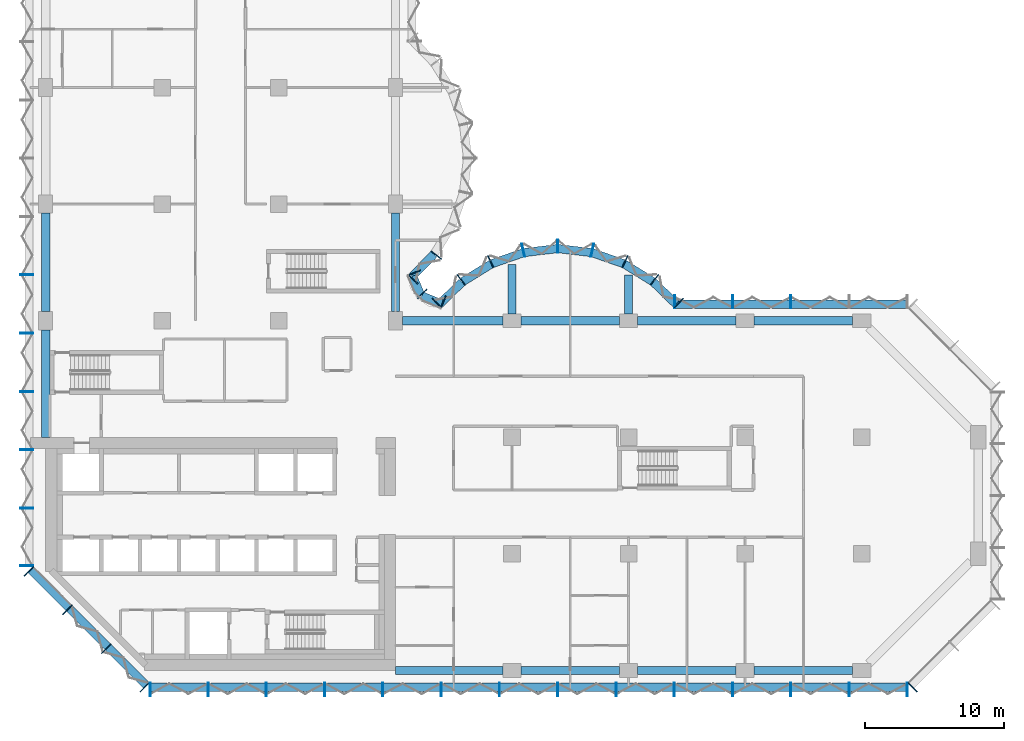
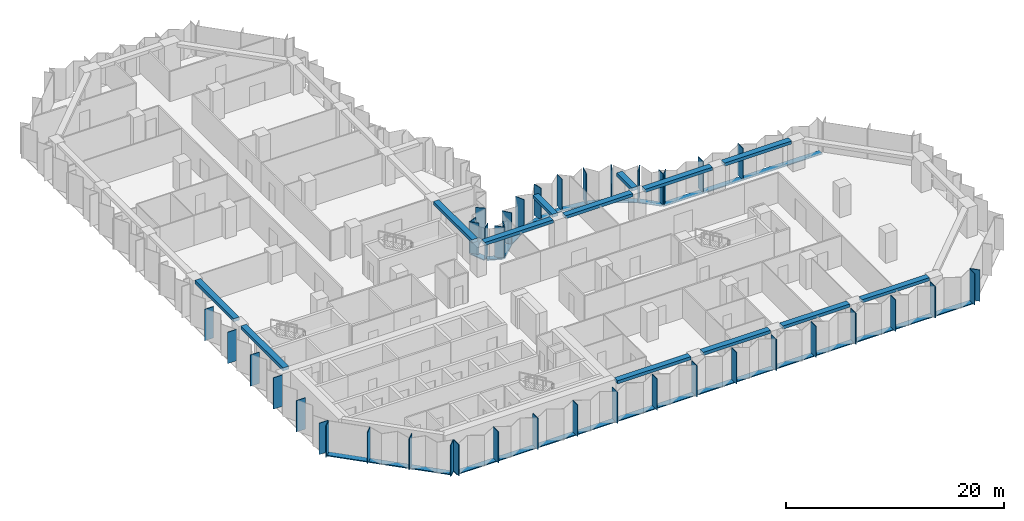
# One storey, part 2 of 13: 56 members, 13 beams, 8 elements without a shape of their own.
"""IFC4 building model written with IfcOpenShell, lengths in metres."""

from ifc_helpers import new_model, si_unit, direction, frame, origin, origin_2d, place, context, subcontext, project, spatial, rectangle, extrude, material, material_profile, profile_set, type_object, element, aggregate, save


model = new_model("IFC4")

# Units and contexts
model_context = context("Model", 3, precision=1e-05, world=origin(), true_north=direction((0.0, 1.0)))
body_context = subcontext(model_context, "Body", "Model", "MODEL_VIEW")
ifc_project = project(units=[si_unit("LENGTHUNIT", "METRE"), si_unit("AREAUNIT", "SQUARE_METRE"), si_unit("VOLUMEUNIT", "CUBIC_METRE"), si_unit("PLANEANGLEUNIT", "RADIAN"), si_unit("MASSUNIT", "GRAM", prefix="KILO")], contexts=[model_context])

# Site, building, storey
site_placement = place(None, origin())
site = spatial("IfcSite", under=ifc_project, at=site_placement, CompositionType="ELEMENT")
building_placement = place(site_placement, origin())
building = spatial("IfcBuilding", under=site, at=building_placement, Name="Brevane Broadcast Tower", CompositionType="ELEMENT")
storey_placement = place(building_placement, frame((0.0, 0.0, 109.699951171875)))
storey = spatial("IfcBuildingStorey", under=building, at=storey_placement, Name="L26", CompositionType="ELEMENT", Elevation=109.699951171875)

# Curtain wall, members
ifc_material_1 = material(Name="Aluminium 6063-T6 bronze anodised", Category="aluminium")
curtain_wall_type = type_object("IfcCurtainWallType", Name="CW-1 curtain wall", PredefinedType="NOTDEFINED", material=ifc_material_1)
curtain_wall_1_placement = place(storey_placement, origin())
curtain_wall_1 = element("IfcCurtainWall", 1, at=curtain_wall_1_placement, inside=storey, type_object=curtain_wall_type, Name="CW-1 typical tilted unit L26 south face", PredefinedType="NOTDEFINED")
ifc_material_profile_1 = material_profile(ifc_material_1, rectangle(XDim=0.949951171875, YDim=0.070068359375, at=origin_2d()), Name="RECT 70x950")
ifc_profile_set_1 = profile_set([ifc_material_profile_1], Name="Aluminium 6063-T6 bronze anodised")
member_type_1 = type_object("IfcMemberType", Name="CW-1 mullion 70x950", PredefinedType="MULLION", material=ifc_profile_set_1)
member_1_placement = place(storey_placement, frame((7.534912109375, -1.375, -0.14990234375), z_axis=(0.0, 0.0, 1.0), x_axis=(0.0, 1.0, 0.0)))
member_1 = element("IfcMember", 2, at=member_1_placement, type_object=member_type_1, Name="CW-1 mullion", PredefinedType="MULLION", context=body_context, shape_type="SweptSolid", body=[
    extrude(rectangle(XDim=0.949951171875, YDim=0.070068359375, at=origin_2d()), origin(), (0.0, 0.0, 1.0), 3.5),
])
member_2_placement = place(storey_placement, frame((11.699951171875, -1.375, -0.14990234375), z_axis=(0.0, 0.0, 1.0), x_axis=(0.0, 1.0, 0.0)))
member_2 = element("IfcMember", 3, at=member_2_placement, type_object=member_type_1, Name="CW-1 mullion", PredefinedType="MULLION", context=body_context, shape_type="SweptSolid", body=[
    extrude(rectangle(XDim=0.949951171875, YDim=0.070068359375, at=origin_2d()), origin(), (0.0, 0.0, 1.0), 3.5),
])
member_3_placement = place(storey_placement, frame((15.89990234375, -1.375, -0.14990234375), z_axis=(0.0, 0.0, 1.0), x_axis=(0.0, 1.0, 0.0)))
member_3 = element("IfcMember", 4, at=member_3_placement, type_object=member_type_1, Name="CW-1 mullion", PredefinedType="MULLION", context=body_context, shape_type="SweptSolid", body=[
    extrude(rectangle(XDim=0.949951171875, YDim=0.070068359375, at=origin_2d()), origin(), (0.0, 0.0, 1.0), 3.5),
])
member_4_placement = place(storey_placement, frame((20.10009765625, -1.375, -0.14990234375), z_axis=(0.0, 0.0, 1.0), x_axis=(0.0, 1.0, 0.0)))
member_4 = element("IfcMember", 5, at=member_4_placement, type_object=member_type_1, Name="CW-1 mullion", PredefinedType="MULLION", context=body_context, shape_type="SweptSolid", body=[
    extrude(rectangle(XDim=0.949951171875, YDim=0.070068359375, at=origin_2d()), origin(), (0.0, 0.0, 1.0), 3.5),
])
member_5_placement = place(storey_placement, frame((24.300048828125, -1.375, -0.14990234375), z_axis=(0.0, 0.0, 1.0), x_axis=(0.0, 1.0, 0.0)))
member_5 = element("IfcMember", 6, at=member_5_placement, type_object=member_type_1, Name="CW-1 mullion", PredefinedType="MULLION", context=body_context, shape_type="SweptSolid", body=[
    extrude(rectangle(XDim=0.949951171875, YDim=0.070068359375, at=origin_2d()), origin(), (0.0, 0.0, 1.0), 3.5),
])
member_6_placement = place(storey_placement, frame((28.5, -1.375, -0.14990234375), z_axis=(0.0, 0.0, 1.0), x_axis=(0.0, 1.0, 0.0)))
member_6 = element("IfcMember", 7, at=member_6_placement, type_object=member_type_1, Name="CW-1 mullion", PredefinedType="MULLION", context=body_context, shape_type="SweptSolid", body=[
    extrude(rectangle(XDim=0.949951171875, YDim=0.070068359375, at=origin_2d()), origin(), (0.0, 0.0, 1.0), 3.5),
])
member_7_placement = place(storey_placement, frame((32.699951171875, -1.375, -0.14990234375), z_axis=(0.0, 0.0, 1.0), x_axis=(0.0, 1.0, 0.0)))
member_7 = element("IfcMember", 8, at=member_7_placement, type_object=member_type_1, Name="CW-1 mullion", PredefinedType="MULLION", context=body_context, shape_type="SweptSolid", body=[
    extrude(rectangle(XDim=0.949951171875, YDim=0.070068359375, at=origin_2d()), origin(), (0.0, 0.0, 1.0), 3.5),
])
member_8_placement = place(storey_placement, frame((36.89990234375, -1.375, -0.14990234375), z_axis=(0.0, 0.0, 1.0), x_axis=(0.0, 1.0, 0.0)))
member_8 = element("IfcMember", 9, at=member_8_placement, type_object=member_type_1, Name="CW-1 mullion", PredefinedType="MULLION", context=body_context, shape_type="SweptSolid", body=[
    extrude(rectangle(XDim=0.949951171875, YDim=0.070068359375, at=origin_2d()), origin(), (0.0, 0.0, 1.0), 3.5),
])
member_9_placement = place(storey_placement, frame((41.10009765625, -1.375, -0.14990234375), z_axis=(0.0, 0.0, 1.0), x_axis=(0.0, 1.0, 0.0)))
member_9 = element("IfcMember", 10, at=member_9_placement, type_object=member_type_1, Name="CW-1 mullion", PredefinedType="MULLION", context=body_context, shape_type="SweptSolid", body=[
    extrude(rectangle(XDim=0.949951171875, YDim=0.070068359375, at=origin_2d()), origin(), (0.0, 0.0, 1.0), 3.5),
])
member_10_placement = place(storey_placement, frame((45.300048828125, -1.375, -0.14990234375), z_axis=(0.0, 0.0, 1.0), x_axis=(0.0, 1.0, 0.0)))
member_10 = element("IfcMember", 11, at=member_10_placement, type_object=member_type_1, Name="CW-1 mullion", PredefinedType="MULLION", context=body_context, shape_type="SweptSolid", body=[
    extrude(rectangle(XDim=0.949951171875, YDim=0.070068359375, at=origin_2d()), origin(), (0.0, 0.0, 1.0), 3.5),
])
member_11_placement = place(storey_placement, frame((49.5, -1.375, -0.14990234375), z_axis=(0.0, 0.0, 1.0), x_axis=(0.0, 1.0, 0.0)))
member_11 = element("IfcMember", 12, at=member_11_placement, type_object=member_type_1, Name="CW-1 mullion", PredefinedType="MULLION", context=body_context, shape_type="SweptSolid", body=[
    extrude(rectangle(XDim=0.949951171875, YDim=0.070068359375, at=origin_2d()), origin(), (0.0, 0.0, 1.0), 3.5),
])
member_12_placement = place(storey_placement, frame((53.699951171875, -1.375, -0.14990234375), z_axis=(0.0, 0.0, 1.0), x_axis=(0.0, 1.0, 0.0)))
member_12 = element("IfcMember", 13, at=member_12_placement, type_object=member_type_1, Name="CW-1 mullion", PredefinedType="MULLION", context=body_context, shape_type="SweptSolid", body=[
    extrude(rectangle(XDim=0.949951171875, YDim=0.070068359375, at=origin_2d()), origin(), (0.0, 0.0, 1.0), 3.5),
])
member_13_placement = place(storey_placement, frame((57.89990234375, -1.375, -0.14990234375), z_axis=(0.0, 0.0, 1.0), x_axis=(0.0, 1.0, 0.0)))
member_13 = element("IfcMember", 14, at=member_13_placement, type_object=member_type_1, Name="CW-1 mullion", PredefinedType="MULLION", context=body_context, shape_type="SweptSolid", body=[
    extrude(rectangle(XDim=0.949951171875, YDim=0.070068359375, at=origin_2d()), origin(), (0.0, 0.0, 1.0), 3.5),
])
member_14_placement = place(storey_placement, frame((62.06494140625, -1.375, -0.14990234375), z_axis=(0.0, 0.0, 1.0), x_axis=(0.0, 1.0, 0.0)))
member_14 = element("IfcMember", 15, at=member_14_placement, type_object=member_type_1, Name="CW-1 mullion", PredefinedType="MULLION", context=body_context, shape_type="SweptSolid", body=[
    extrude(rectangle(XDim=0.949951171875, YDim=0.070068359375, at=origin_2d()), origin(), (0.0, 0.0, 1.0), 3.5),
])

# Curtain wall, member
curtain_wall_2_placement = place(storey_placement, origin())
curtain_wall_2 = element("IfcCurtainWall", 16, at=curtain_wall_2_placement, inside=storey, type_object=curtain_wall_type, Name="CW-1 typical tilted unit L26 south-east chamfer", PredefinedType="NOTDEFINED")
member_15_placement = place(storey_placement, frame((62.460693359375, -1.211181640625, -0.14990234375), z_axis=(0.0, 0.0, 1.0), x_axis=(-0.707106781187, 0.707106781187, 0.0)))
member_15 = element("IfcMember", 17, at=member_15_placement, type_object=member_type_1, Name="CW-1 mullion", PredefinedType="MULLION", context=body_context, shape_type="SweptSolid", body=[
    extrude(rectangle(XDim=0.949951171875, YDim=0.070068359375, at=origin_2d()), origin(), (0.0, 0.0, 1.0), 3.5),
])
aggregate(curtain_wall_2, [member_15])

# Curtain wall, members
curtain_wall_3_placement = place(storey_placement, origin())
curtain_wall_3 = element("IfcCurtainWall", 18, at=curtain_wall_3_placement, inside=storey, type_object=curtain_wall_type, Name="CW-1 typical tilted unit L26 east arm north face", PredefinedType="NOTDEFINED")
member_16_placement = place(storey_placement, frame((53.699951171875, 26.574951171875, -0.14990234375), z_axis=(0.0, 0.0, 1.0), x_axis=(0.0, -1.0, 0.0)))
member_16 = element("IfcMember", 19, at=member_16_placement, type_object=member_type_1, Name="CW-1 mullion", PredefinedType="MULLION", context=body_context, shape_type="SweptSolid", body=[
    extrude(rectangle(XDim=0.949951171875, YDim=0.070068359375, at=origin_2d()), origin(), (0.0, 0.0, 1.0), 3.5),
])
member_17_placement = place(storey_placement, frame((49.5, 26.574951171875, -0.14990234375), z_axis=(0.0, 0.0, 1.0), x_axis=(0.0, -1.0, 0.0)))
member_17 = element("IfcMember", 20, at=member_17_placement, type_object=member_type_1, Name="CW-1 mullion", PredefinedType="MULLION", context=body_context, shape_type="SweptSolid", body=[
    extrude(rectangle(XDim=0.949951171875, YDim=0.070068359375, at=origin_2d()), origin(), (0.0, 0.0, 1.0), 3.5),
])
member_18_placement = place(storey_placement, frame((45.3349609375, 26.574951171875, -0.14990234375), z_axis=(0.0, 0.0, 1.0), x_axis=(0.0, -1.0, 0.0)))
member_18 = element("IfcMember", 21, at=member_18_placement, type_object=member_type_1, Name="CW-1 mullion", PredefinedType="MULLION", context=body_context, shape_type="SweptSolid", body=[
    extrude(rectangle(XDim=0.949951171875, YDim=0.070068359375, at=origin_2d()), origin(), (0.0, 0.0, 1.0), 3.5),
])

curtain_wall_4_placement = place(storey_placement, origin())
curtain_wall_4 = element("IfcCurtainWall", 22, at=curtain_wall_4_placement, inside=storey, type_object=curtain_wall_type, Name="CW-1 typical tilted unit L26 east bow", PredefinedType="NOTDEFINED")
member_19_placement = place(storey_placement, frame((45.60595703125, 26.465087890625, -0.14990234375), z_axis=(0.0, 0.0, 1.0), x_axis=(-0.696811941702, -0.717253872699, 0.0)))
member_19 = element("IfcMember", 23, at=member_19_placement, type_object=member_type_1, Name="CW-1 mullion", PredefinedType="MULLION", context=body_context, shape_type="SweptSolid", body=[
    extrude(rectangle(XDim=0.949951171875, YDim=0.070068359375, at=origin_2d()), origin(), (0.0, 0.0, 1.0), 3.5),
])
member_20_placement = place(storey_placement, frame((43.8720703125, 28.1455078125, -0.14990234375), z_axis=(0.0, 0.0, 1.0), x_axis=(-0.614769738617, -0.788706642853, 0.0)))
member_20 = element("IfcMember", 24, at=member_20_placement, type_object=member_type_1, Name="CW-1 mullion", PredefinedType="MULLION", context=body_context, shape_type="SweptSolid", body=[
    extrude(rectangle(XDim=0.949951171875, YDim=0.070068359375, at=origin_2d()), origin(), (0.0, 0.0, 1.0), 3.5),
])
member_21_placement = place(storey_placement, frame((41.746826171875, 29.4580078125, -0.14990234375), z_axis=(0.0, 0.0, 1.0), x_axis=(-0.429933601163, -0.902860508933, 0.0)))
member_21 = element("IfcMember", 25, at=member_21_placement, type_object=member_type_1, Name="CW-1 mullion", PredefinedType="MULLION", context=body_context, shape_type="SweptSolid", body=[
    extrude(rectangle(XDim=0.949951171875, YDim=0.070068359375, at=origin_2d()), origin(), (0.0, 0.0, 1.0), 3.5),
])
member_22_placement = place(storey_placement, frame((39.38818359375, 30.28076171875, -0.14990234375), z_axis=(0.0, 0.0, 1.0), x_axis=(-0.224806482215, -0.974403430594, 0.0)))
member_22 = element("IfcMember", 26, at=member_22_placement, type_object=member_type_1, Name="CW-1 mullion", PredefinedType="MULLION", context=body_context, shape_type="SweptSolid", body=[
    extrude(rectangle(XDim=0.949951171875, YDim=0.070068359375, at=origin_2d()), origin(), (0.0, 0.0, 1.0), 3.5),
])
member_23_placement = place(storey_placement, frame((36.89990234375, 30.574951171875, -0.14990234375), z_axis=(0.0, 0.0, 1.0), x_axis=(0.0, -1.0, 0.0)))
member_23 = element("IfcMember", 27, at=member_23_placement, type_object=member_type_1, Name="CW-1 mullion", PredefinedType="MULLION", context=body_context, shape_type="SweptSolid", body=[
    extrude(rectangle(XDim=0.949951171875, YDim=0.070068359375, at=origin_2d()), origin(), (0.0, 0.0, 1.0), 3.5),
])
member_24_placement = place(storey_placement, frame((34.411865234375, 30.28076171875, -0.14990234375), z_axis=(0.0, 0.0, 1.0), x_axis=(0.224806482215, -0.974403430594, 0.0)))
member_24 = element("IfcMember", 28, at=member_24_placement, type_object=member_type_1, Name="CW-1 mullion", PredefinedType="MULLION", context=body_context, shape_type="SweptSolid", body=[
    extrude(rectangle(XDim=0.949951171875, YDim=0.070068359375, at=origin_2d()), origin(), (0.0, 0.0, 1.0), 3.5),
])
member_25_placement = place(storey_placement, frame((32.05322265625, 29.4580078125, -0.14990234375), z_axis=(0.0, 0.0, 1.0), x_axis=(0.429933601163, -0.902860508933, 0.0)))
member_25 = element("IfcMember", 29, at=member_25_placement, type_object=member_type_1, Name="CW-1 mullion", PredefinedType="MULLION", context=body_context, shape_type="SweptSolid", body=[
    extrude(rectangle(XDim=0.949951171875, YDim=0.070068359375, at=origin_2d()), origin(), (0.0, 0.0, 1.0), 3.5),
])
member_26_placement = place(storey_placement, frame((29.927978515625, 28.1455078125, -0.14990234375), z_axis=(0.0, 0.0, 1.0), x_axis=(0.614769738617, -0.788706642853, 0.0)))
member_26 = element("IfcMember", 30, at=member_26_placement, type_object=member_type_1, Name="CW-1 mullion", PredefinedType="MULLION", context=body_context, shape_type="SweptSolid", body=[
    extrude(rectangle(XDim=0.949951171875, YDim=0.070068359375, at=origin_2d()), origin(), (0.0, 0.0, 1.0), 3.5),
])
member_27_placement = place(storey_placement, frame((28.194091796875, 26.465087890625, -0.14990234375), z_axis=(0.0, 0.0, 1.0), x_axis=(0.696811941702, -0.717253872699, 0.0)))
member_27 = element("IfcMember", 31, at=member_27_placement, type_object=member_type_1, Name="CW-1 mullion", PredefinedType="MULLION", context=body_context, shape_type="SweptSolid", body=[
    extrude(rectangle(XDim=0.949951171875, YDim=0.070068359375, at=origin_2d()), origin(), (0.0, 0.0, 1.0), 3.5),
])

curtain_wall_5_placement = place(storey_placement, origin())
curtain_wall_5 = element("IfcCurtainWall", 32, at=curtain_wall_5_placement, inside=storey, type_object=curtain_wall_type, Name="CW-1 typical tilted unit L26 inner corner", PredefinedType="NOTDEFINED")
member_28_placement = place(storey_placement, frame((28.6494140625, 26.55224609375, -0.14990234375), z_axis=(0.0, 0.0, 1.0), x_axis=(-0.382683612978, -0.923879457699, 0.0)))
member_28 = element("IfcMember", 33, at=member_28_placement, type_object=member_type_1, Name="CW-1 mullion", PredefinedType="MULLION", context=body_context, shape_type="SweptSolid", body=[
    extrude(rectangle(XDim=0.949951171875, YDim=0.070068359375, at=origin_2d()), origin(), (0.0, 0.0, 1.0), 3.5),
])
member_29_placement = place(storey_placement, frame((27.138916015625, 27.138916015625, -0.14990234375), z_axis=(0.0, 0.0, 1.0), x_axis=(-0.707106781187, -0.707106781187, 0.0)))
member_29 = element("IfcMember", 34, at=member_29_placement, type_object=member_type_1, Name="CW-1 mullion", PredefinedType="MULLION", context=body_context, shape_type="SweptSolid", body=[
    extrude(rectangle(XDim=0.949951171875, YDim=0.070068359375, at=origin_2d()), origin(), (0.0, 0.0, 1.0), 3.5),
])
member_30_placement = place(storey_placement, frame((26.55224609375, 28.6494140625, -0.14990234375), z_axis=(0.0, 0.0, 1.0), x_axis=(-0.923879457699, -0.382683612978, 0.0)))
member_30 = element("IfcMember", 35, at=member_30_placement, type_object=member_type_1, Name="CW-1 mullion", PredefinedType="MULLION", context=body_context, shape_type="SweptSolid", body=[
    extrude(rectangle(XDim=0.949951171875, YDim=0.070068359375, at=origin_2d()), origin(), (0.0, 0.0, 1.0), 3.5),
])

curtain_wall_6_placement = place(storey_placement, origin())
curtain_wall_6 = element("IfcCurtainWall", 36, at=curtain_wall_6_placement, inside=storey, type_object=curtain_wall_type, Name="CW-1 typical tilted unit L26 north bow", PredefinedType="NOTDEFINED")
member_31_placement = place(storey_placement, frame((26.465087890625, 28.194091796875, -0.14990234375), z_axis=(0.0, 0.0, 1.0), x_axis=(-0.717253872699, 0.696811941702, 0.0)))
member_31 = element("IfcMember", 37, at=member_31_placement, type_object=member_type_1, Name="CW-1 mullion", PredefinedType="MULLION", context=body_context, shape_type="SweptSolid", body=[
    extrude(rectangle(XDim=0.949951171875, YDim=0.070068359375, at=origin_2d()), origin(), (0.0, 0.0, 1.0), 3.5),
])
member_32_placement = place(storey_placement, frame((28.1455078125, 29.927978515625, -0.14990234375), z_axis=(0.0, 0.0, 1.0), x_axis=(-0.788706642853, 0.614769738617, 0.0)))
member_32 = element("IfcMember", 38, at=member_32_placement, type_object=member_type_1, Name="CW-1 mullion", PredefinedType="MULLION", context=body_context, shape_type="SweptSolid", body=[
    extrude(rectangle(XDim=0.949951171875, YDim=0.070068359375, at=origin_2d()), origin(), (0.0, 0.0, 1.0), 3.5),
])

curtain_wall_7_placement = place(storey_placement, origin())
curtain_wall_7 = element("IfcCurtainWall", 39, at=curtain_wall_7_placement, inside=storey, type_object=curtain_wall_type, Name="CW-1 typical tilted unit L26 west face", PredefinedType="NOTDEFINED")
member_33_placement = place(storey_placement, frame((-1.375, 28.5, -0.14990234375), z_axis=(0.0, 0.0, 1.0), x_axis=(1.0, 0.0, 0.0)))
member_33 = element("IfcMember", 40, at=member_33_placement, type_object=member_type_1, Name="CW-1 mullion", PredefinedType="MULLION", context=body_context, shape_type="SweptSolid", body=[
    extrude(rectangle(XDim=0.949951171875, YDim=0.070068359375, at=origin_2d()), origin(), (0.0, 0.0, 1.0), 3.5),
])
member_34_placement = place(storey_placement, frame((-1.375, 24.300048828125, -0.14990234375), z_axis=(0.0, 0.0, 1.0), x_axis=(1.0, 0.0, 0.0)))
member_34 = element("IfcMember", 41, at=member_34_placement, type_object=member_type_1, Name="CW-1 mullion", PredefinedType="MULLION", context=body_context, shape_type="SweptSolid", body=[
    extrude(rectangle(XDim=0.949951171875, YDim=0.070068359375, at=origin_2d()), origin(), (0.0, 0.0, 1.0), 3.5),
])
member_35_placement = place(storey_placement, frame((-1.375, 20.10009765625, -0.14990234375), z_axis=(0.0, 0.0, 1.0), x_axis=(1.0, 0.0, 0.0)))
member_35 = element("IfcMember", 42, at=member_35_placement, type_object=member_type_1, Name="CW-1 mullion", PredefinedType="MULLION", context=body_context, shape_type="SweptSolid", body=[
    extrude(rectangle(XDim=0.949951171875, YDim=0.070068359375, at=origin_2d()), origin(), (0.0, 0.0, 1.0), 3.5),
])
member_36_placement = place(storey_placement, frame((-1.375, 15.89990234375, -0.14990234375), z_axis=(0.0, 0.0, 1.0), x_axis=(1.0, 0.0, 0.0)))
member_36 = element("IfcMember", 43, at=member_36_placement, type_object=member_type_1, Name="CW-1 mullion", PredefinedType="MULLION", context=body_context, shape_type="SweptSolid", body=[
    extrude(rectangle(XDim=0.949951171875, YDim=0.070068359375, at=origin_2d()), origin(), (0.0, 0.0, 1.0), 3.5),
])
member_37_placement = place(storey_placement, frame((-1.375, 11.699951171875, -0.14990234375), z_axis=(0.0, 0.0, 1.0), x_axis=(1.0, 0.0, 0.0)))
member_37 = element("IfcMember", 44, at=member_37_placement, type_object=member_type_1, Name="CW-1 mullion", PredefinedType="MULLION", context=body_context, shape_type="SweptSolid", body=[
    extrude(rectangle(XDim=0.949951171875, YDim=0.070068359375, at=origin_2d()), origin(), (0.0, 0.0, 1.0), 3.5),
])
member_38_placement = place(storey_placement, frame((-1.375, 7.534912109375, -0.14990234375), z_axis=(0.0, 0.0, 1.0), x_axis=(1.0, 0.0, 0.0)))
member_38 = element("IfcMember", 45, at=member_38_placement, type_object=member_type_1, Name="CW-1 mullion", PredefinedType="MULLION", context=body_context, shape_type="SweptSolid", body=[
    extrude(rectangle(XDim=0.949951171875, YDim=0.070068359375, at=origin_2d()), origin(), (0.0, 0.0, 1.0), 3.5),
])
aggregate(curtain_wall_7, [member_33, member_34, member_35, member_36, member_37, member_38])

curtain_wall_8_placement = place(storey_placement, origin())
curtain_wall_8 = element("IfcCurtainWall", 46, at=curtain_wall_8_placement, inside=storey, type_object=curtain_wall_type, Name="CW-1 typical tilted unit L26 south-west chamfer", PredefinedType="NOTDEFINED")
member_39_placement = place(storey_placement, frame((-1.211181640625, 7.139404296875, -0.14990234375), z_axis=(0.0, 0.0, 1.0), x_axis=(0.707106781187, 0.707106781187, 0.0)))
member_39 = element("IfcMember", 47, at=member_39_placement, type_object=member_type_1, Name="CW-1 mullion", PredefinedType="MULLION", context=body_context, shape_type="SweptSolid", body=[
    extrude(rectangle(XDim=0.949951171875, YDim=0.070068359375, at=origin_2d()), origin(), (0.0, 0.0, 1.0), 3.5),
])
member_40_placement = place(storey_placement, frame((1.564208984375, 4.364013671875, -0.14990234375), z_axis=(0.0, 0.0, 1.0), x_axis=(0.707106781187, 0.707106781187, 0.0)))
member_40 = element("IfcMember", 48, at=member_40_placement, type_object=member_type_1, Name="CW-1 mullion", PredefinedType="MULLION", context=body_context, shape_type="SweptSolid", body=[
    extrude(rectangle(XDim=0.949951171875, YDim=0.070068359375, at=origin_2d()), origin(), (0.0, 0.0, 1.0), 3.5),
])
member_41_placement = place(storey_placement, frame((4.364013671875, 1.564208984375, -0.14990234375), z_axis=(0.0, 0.0, 1.0), x_axis=(0.707106781187, 0.707106781187, 0.0)))
member_41 = element("IfcMember", 49, at=member_41_placement, type_object=member_type_1, Name="CW-1 mullion", PredefinedType="MULLION", context=body_context, shape_type="SweptSolid", body=[
    extrude(rectangle(XDim=0.949951171875, YDim=0.070068359375, at=origin_2d()), origin(), (0.0, 0.0, 1.0), 3.5),
])
member_42_placement = place(storey_placement, frame((7.139404296875, -1.211181640625, -0.14990234375), z_axis=(0.0, 0.0, 1.0), x_axis=(0.707106781187, 0.707106781187, 0.0)))
member_42 = element("IfcMember", 50, at=member_42_placement, type_object=member_type_1, Name="CW-1 mullion", PredefinedType="MULLION", context=body_context, shape_type="SweptSolid", body=[
    extrude(rectangle(XDim=0.949951171875, YDim=0.070068359375, at=origin_2d()), origin(), (0.0, 0.0, 1.0), 3.5),
])

# Member
ifc_material_profile_2 = material_profile(ifc_material_1, rectangle(XDim=0.60009765625, YDim=0.10009765625, at=origin_2d()), Name="RECT 100x600")
ifc_profile_set_2 = profile_set([ifc_material_profile_2], Name="Aluminium 6063-T6 bronze anodised")
member_type_2 = type_object("IfcMemberType", Name="CW-1 transom 100x600", PredefinedType="USERDEFINED", material=ifc_profile_set_2)
member_43_placement = place(storey_placement, frame((7.5, -1.199951171875, -0.199951171875), z_axis=(1.0, 0.0, 0.0), x_axis=(0.0, 1.0, 0.0)))
member_43 = element("IfcMember", 51, at=member_43_placement, type_object=member_type_2, Name="CW-1 transom", ObjectType="TRANSOM", PredefinedType="USERDEFINED", context=body_context, shape_type="SweptSolid", body=[
    extrude(rectangle(XDim=0.60009765625, YDim=0.10009765625, at=origin_2d()), origin(), (0.0, 0.0, 1.0), 54.60009765625),
])

aggregate(curtain_wall_1, [member_1, member_2, member_3, member_4, member_5, member_6, member_7, member_8, member_9, member_10, member_11, member_12, member_13, member_14, member_43])

member_44_placement = place(storey_placement, frame((62.10009765625, 26.39990234375, -0.199951171875), z_axis=(-1.0, 0.0, 0.0), x_axis=(0.0, -1.0, 0.0)))
member_44 = element("IfcMember", 52, at=member_44_placement, type_object=member_type_2, Name="CW-1 transom", ObjectType="TRANSOM", PredefinedType="USERDEFINED", context=body_context, shape_type="SweptSolid", body=[
    extrude(rectangle(XDim=0.60009765625, YDim=0.10009765625, at=origin_2d()), origin(), (0.0, 0.0, 1.0), 16.800048828125),
])

aggregate(curtain_wall_3, [member_16, member_17, member_18, member_44])

member_45_placement = place(storey_placement, frame((45.412841796875, 26.407958984375, -0.199951171875), z_axis=(-0.71724215871, 0.696823999134, 0.0), x_axis=(-0.696823999134, -0.71724215871, 0.0)))
member_45 = element("IfcMember", 53, at=member_45_placement, type_object=member_type_2, Name="CW-1 transom", ObjectType="TRANSOM", PredefinedType="USERDEFINED", context=body_context, shape_type="SweptSolid", body=[
    extrude(rectangle(XDim=0.60009765625, YDim=0.10009765625, at=origin_2d()), origin(), (0.0, 0.0, 1.0), 2.247802734375),
])

member_46_placement = place(storey_placement, frame((43.7421875, 28.023193359375, -0.199951171875), z_axis=(-0.850810063131, 0.525473345162, 0.0), x_axis=(-0.525473345162, -0.850810063131, 0.0)))
member_46 = element("IfcMember", 54, at=member_46_placement, type_object=member_type_2, Name="CW-1 transom", ObjectType="TRANSOM", PredefinedType="USERDEFINED", context=body_context, shape_type="SweptSolid", body=[
    extrude(rectangle(XDim=0.60009765625, YDim=0.10009765625, at=origin_2d()), origin(), (0.0, 0.0, 1.0), 2.39453125),
])

member_47_placement = place(storey_placement, frame((41.63623046875, 29.314208984375, -0.199951171875), z_axis=(-0.944197969542, 0.329378497041, 0.0), x_axis=(-0.329378497041, -0.944197969542, 0.0)))
member_47 = element("IfcMember", 55, at=member_47_placement, type_object=member_type_2, Name="CW-1 transom", ObjectType="TRANSOM", PredefinedType="USERDEFINED", context=body_context, shape_type="SweptSolid", body=[
    extrude(rectangle(XDim=0.60009765625, YDim=0.10009765625, at=origin_2d()), origin(), (0.0, 0.0, 1.0), 2.394775390625),
])

member_48_placement = place(storey_placement, frame((39.30029296875, 30.117431640625, -0.199951171875), z_axis=(-0.993062061831, 0.117591417, 0.0), x_axis=(-0.117591417, -0.993062061831, 0.0)))
member_48 = element("IfcMember", 56, at=member_48_placement, type_object=member_type_2, Name="CW-1 transom", ObjectType="TRANSOM", PredefinedType="USERDEFINED", context=body_context, shape_type="SweptSolid", body=[
    extrude(rectangle(XDim=0.60009765625, YDim=0.10009765625, at=origin_2d()), origin(), (0.0, 0.0, 1.0), 2.39794921875),
])

member_49_placement = place(storey_placement, frame((36.880859375, 30.3994140625, -0.199951171875), z_axis=(-0.993060653805, -0.117603307202, 0.0), x_axis=(0.117603307202, -0.993060653805, 0.0)))
member_49 = element("IfcMember", 57, at=member_49_placement, type_object=member_type_2, Name="CW-1 transom", ObjectType="TRANSOM", PredefinedType="USERDEFINED", context=body_context, shape_type="SweptSolid", body=[
    extrude(rectangle(XDim=0.60009765625, YDim=0.10009765625, at=origin_2d()), origin(), (0.0, 0.0, 1.0), 2.397705078125),
])

member_50_placement = place(storey_placement, frame((34.425048828125, 30.10302734375, -0.199951171875), z_axis=(-0.944197969542, -0.329378497041, 0.0), x_axis=(0.329378497041, -0.944197969542, 0.0)))
member_50 = element("IfcMember", 58, at=member_50_placement, type_object=member_type_2, Name="CW-1 transom", ObjectType="TRANSOM", PredefinedType="USERDEFINED", context=body_context, shape_type="SweptSolid", body=[
    extrude(rectangle(XDim=0.60009765625, YDim=0.10009765625, at=origin_2d()), origin(), (0.0, 0.0, 1.0), 2.394775390625),
])

member_51_placement = place(storey_placement, frame((32.09521484375, 29.281494140625, -0.199951171875), z_axis=(-0.850838211365, -0.525427766759, 0.0), x_axis=(0.525427766759, -0.850838211365, 0.0)))
member_51 = element("IfcMember", 59, at=member_51_placement, type_object=member_type_2, Name="CW-1 transom", ObjectType="TRANSOM", PredefinedType="USERDEFINED", context=body_context, shape_type="SweptSolid", body=[
    extrude(rectangle(XDim=0.60009765625, YDim=0.10009765625, at=origin_2d()), origin(), (0.0, 0.0, 1.0), 2.394775390625),
])

member_52_placement = place(storey_placement, frame((29.99951171875, 27.974365234375, -0.199951171875), z_axis=(-0.71724215871, -0.696823999134, 0.0), x_axis=(0.696823999134, -0.71724215871, 0.0)))
member_52 = element("IfcMember", 60, at=member_52_placement, type_object=member_type_2, Name="CW-1 transom", ObjectType="TRANSOM", PredefinedType="USERDEFINED", context=body_context, shape_type="SweptSolid", body=[
    extrude(rectangle(XDim=0.60009765625, YDim=0.10009765625, at=origin_2d()), origin(), (0.0, 0.0, 1.0), 2.247802734375),
])

aggregate(curtain_wall_4, [member_19, member_20, member_21, member_22, member_23, member_24, member_25, member_26, member_27, member_45, member_46, member_47, member_48, member_49, member_50, member_51, member_52])

member_53_placement = place(storey_placement, frame((28.528076171875, 26.40673828125, -0.199951171875), z_axis=(-0.923883243627, 0.382674472816, 0.0), x_axis=(-0.382674472816, -0.923883243627, 0.0)))
member_53 = element("IfcMember", 61, at=member_53_placement, type_object=member_type_2, Name="CW-1 transom", ObjectType="TRANSOM", PredefinedType="USERDEFINED", context=body_context, shape_type="SweptSolid", body=[
    extrude(rectangle(XDim=0.60009765625, YDim=0.10009765625, at=origin_2d()), origin(), (0.0, 0.0, 1.0), 1.536865234375),
])

member_54_placement = place(storey_placement, frame((27.039794921875, 27.0, -0.199951171875), z_axis=(-0.382674472816, 0.923883243627, 0.0), x_axis=(-0.923883243627, -0.382674472816, 0.0)))
member_54 = element("IfcMember", 62, at=member_54_placement, type_object=member_type_2, Name="CW-1 transom", ObjectType="TRANSOM", PredefinedType="USERDEFINED", context=body_context, shape_type="SweptSolid", body=[
    extrude(rectangle(XDim=0.60009765625, YDim=0.10009765625, at=origin_2d()), origin(), (0.0, 0.0, 1.0), 1.536865234375),
])

aggregate(curtain_wall_5, [member_28, member_29, member_30, member_53, member_54])

member_55_placement = place(storey_placement, frame((26.407958984375, 28.38720703125, -0.199951171875), z_axis=(0.696823999134, 0.71724215871, 0.0), x_axis=(-0.71724215871, 0.696823999134, 0.0)))
member_55 = element("IfcMember", 63, at=member_55_placement, type_object=member_type_2, Name="CW-1 transom", ObjectType="TRANSOM", PredefinedType="USERDEFINED", context=body_context, shape_type="SweptSolid", body=[
    extrude(rectangle(XDim=0.60009765625, YDim=0.10009765625, at=origin_2d()), origin(), (0.0, 0.0, 1.0), 2.247802734375),
])

aggregate(curtain_wall_6, [member_31, member_32, member_55])

member_56_placement = place(storey_placement, frame((-1.112060546875, 7.287841796875, -0.199951171875), z_axis=(0.707106781187, -0.707106781187, 0.0), x_axis=(0.707106781187, 0.707106781187, 0.0)))
member_56 = element("IfcMember", 64, at=member_56_placement, type_object=member_type_2, Name="CW-1 transom", ObjectType="TRANSOM", PredefinedType="USERDEFINED", context=body_context, shape_type="SweptSolid", body=[
    extrude(rectangle(XDim=0.60009765625, YDim=0.10009765625, at=origin_2d()), origin(), (0.0, 0.0, 1.0), 11.879150390625),
])

aggregate(curtain_wall_8, [member_39, member_40, member_41, member_42, member_56])

# Beams
ifc_material_2 = material(Name="Concrete C40/50", Category="concrete")
ifc_material_profile_3 = material_profile(ifc_material_2, rectangle(XDim=0.60009765625, YDim=0.35009765625, at=origin_2d()), Name="RC 600x350")
ifc_profile_set_3 = profile_set([ifc_material_profile_3], Name="Concrete C40/50")
beam_type_1 = type_object("IfcBeamType", Name="RC BRACKET BEAM 600x350 C40/50", PredefinedType="BEAM", material=ifc_profile_set_3)
beam_1_placement = place(storey_placement, frame((33.60009765625, 25.699951171875, 3.175048828125), z_axis=(0.0, 1.0, 0.0), x_axis=(-1.0, 0.0, 0.0)))
element("IfcBeam", 65, at=beam_1_placement, inside=storey, type_object=beam_type_1, Name="EB2 L26-3", PredefinedType="BEAM", context=body_context, shape_type="SweptSolid", body=[
    extrude(rectangle(XDim=0.60009765625, YDim=0.35009765625, at=origin_2d()), origin(), (0.0, 0.0, 1.0), 3.56201171875),
])
beam_2_placement = place(storey_placement, frame((42.0, 25.699951171875, 3.175048828125), z_axis=(0.0, 1.0, 0.0), x_axis=(-1.0, 0.0, 0.0)))
element("IfcBeam", 66, at=beam_2_placement, inside=storey, type_object=beam_type_1, Name="EB2 L26-4", PredefinedType="BEAM", context=body_context, shape_type="SweptSolid", body=[
    extrude(rectangle(XDim=0.60009765625, YDim=0.35009765625, at=origin_2d()), origin(), (0.0, 0.0, 1.0), 2.8115234375),
])
ifc_material_profile_4 = material_profile(ifc_material_2, rectangle(XDim=0.60009765625, YDim=0.35009765625, at=origin_2d()), Name="RC 600x350")
ifc_profile_set_4 = profile_set([ifc_material_profile_4], Name="Concrete C40/50")
beam_type_2 = type_object("IfcBeamType", Name="RC SPANDREL BEAM 600x350 C40/50", PredefinedType="SPANDREL", material=ifc_profile_set_4)
beam_3_placement = place(storey_placement, frame((25.199951171875, 0.0, 3.175048828125), z_axis=(1.0, 0.0, 0.0), x_axis=(0.0, 1.0, 0.0)))
element("IfcBeam", 67, at=beam_3_placement, inside=storey, type_object=beam_type_2, Name="EB1 L26-1", PredefinedType="SPANDREL", context=body_context, shape_type="SweptSolid", body=[
    extrude(rectangle(XDim=0.60009765625, YDim=0.35009765625, at=origin_2d()), origin(), (0.0, 0.0, 1.0), 7.75),
])
for number, where, z_axis, x_axis, name in (
    (68, (34.25, 0.0, 3.175048828125), (1.0, 0.0, 0.0), (0.0, 1.0, 0.0), "EB1 L26-2"),
    (69, (42.64990234375, 0.0, 3.175048828125), (1.0, 0.0, 0.0), (0.0, 1.0, 0.0), "EB1 L26-3"),
):
    element("IfcBeam", number, at=place(storey_placement, frame(where, z_axis=z_axis, x_axis=x_axis)), inside=storey, type_object=beam_type_2, Name=name, PredefinedType="SPANDREL", context=body_context, shape_type="SweptSolid", body=[
        extrude(rectangle(XDim=0.60009765625, YDim=0.35009765625, at=origin_2d()), origin(), (0.0, 0.0, 1.0), 7.10009765625),
    ])
for number, where, z_axis, x_axis, name in (
    (70, (51.050048828125, 0.0, 3.175048828125), (1.0, 0.0, 0.0), (0.0, 1.0, 0.0), "EB1 L26-4"),
    (71, (58.14990234375, 25.199951171875, 3.175048828125), (-1.0, 0.0, 0.0), (0.0, -1.0, 0.0), "EB1 L26-8"),
):
    element("IfcBeam", number, at=place(storey_placement, frame(where, z_axis=z_axis, x_axis=x_axis)), inside=storey, type_object=beam_type_2, Name=name, PredefinedType="SPANDREL", context=body_context, shape_type="SweptSolid", body=[
        extrude(rectangle(XDim=0.60009765625, YDim=0.35009765625, at=origin_2d()), origin(), (0.0, 0.0, 1.0), 7.099853515625),
    ])
for number, where, z_axis, x_axis, name in (
    (72, (49.75, 25.199951171875, 3.175048828125), (-1.0, 0.0, 0.0), (0.0, -1.0, 0.0), "EB1 L26-9"),
    (73, (41.35009765625, 25.199951171875, 3.175048828125), (-1.0, 0.0, 0.0), (0.0, -1.0, 0.0), "EB1 L26-10"),
):
    element("IfcBeam", number, at=place(storey_placement, frame(where, z_axis=z_axis, x_axis=x_axis)), inside=storey, type_object=beam_type_2, Name=name, PredefinedType="SPANDREL", context=body_context, shape_type="SweptSolid", body=[
        extrude(rectangle(XDim=0.60009765625, YDim=0.35009765625, at=origin_2d()), origin(), (0.0, 0.0, 1.0), 7.10009765625),
    ])
beam_4_placement = place(storey_placement, frame((32.949951171875, 25.199951171875, 3.175048828125), z_axis=(-1.0, 0.0, 0.0), x_axis=(0.0, -1.0, 0.0)))
element("IfcBeam", 74, at=beam_4_placement, inside=storey, type_object=beam_type_2, Name="EB1 L26-11", PredefinedType="SPANDREL", context=body_context, shape_type="SweptSolid", body=[
    extrude(rectangle(XDim=0.60009765625, YDim=0.35009765625, at=origin_2d()), origin(), (0.0, 0.0, 1.0), 7.25),
])
for number, where, z_axis, x_axis, name in (
    (75, (25.199951171875, 25.85009765625, 3.175048828125), (0.0, 1.0, 0.0), (-1.0, 0.0, 0.0), "EB1 L26-12"),
    (76, (0.0, 32.949951171875, 3.175048828125), (0.0, -1.0, 0.0), (1.0, 0.0, 0.0), "EB1 L26-22"),
):
    element("IfcBeam", number, at=place(storey_placement, frame(where, z_axis=z_axis, x_axis=x_axis)), inside=storey, type_object=beam_type_2, Name=name, PredefinedType="SPANDREL", context=body_context, shape_type="SweptSolid", body=[
        extrude(rectangle(XDim=0.60009765625, YDim=0.35009765625, at=origin_2d()), origin(), (0.0, 0.0, 1.0), 7.099853515625),
    ])
beam_5_placement = place(storey_placement, frame((0.0, 24.550048828125, 3.175048828125), z_axis=(0.0, -1.0, 0.0), x_axis=(1.0, 0.0, 0.0)))
element("IfcBeam", 77, at=beam_5_placement, inside=storey, type_object=beam_type_2, Name="EB1 L26-23", PredefinedType="SPANDREL", context=body_context, shape_type="SweptSolid", body=[
    extrude(rectangle(XDim=0.60009765625, YDim=0.35009765625, at=origin_2d()), origin(), (0.0, 0.0, 1.0), 7.75),
])

save(model, "model.ifc")
